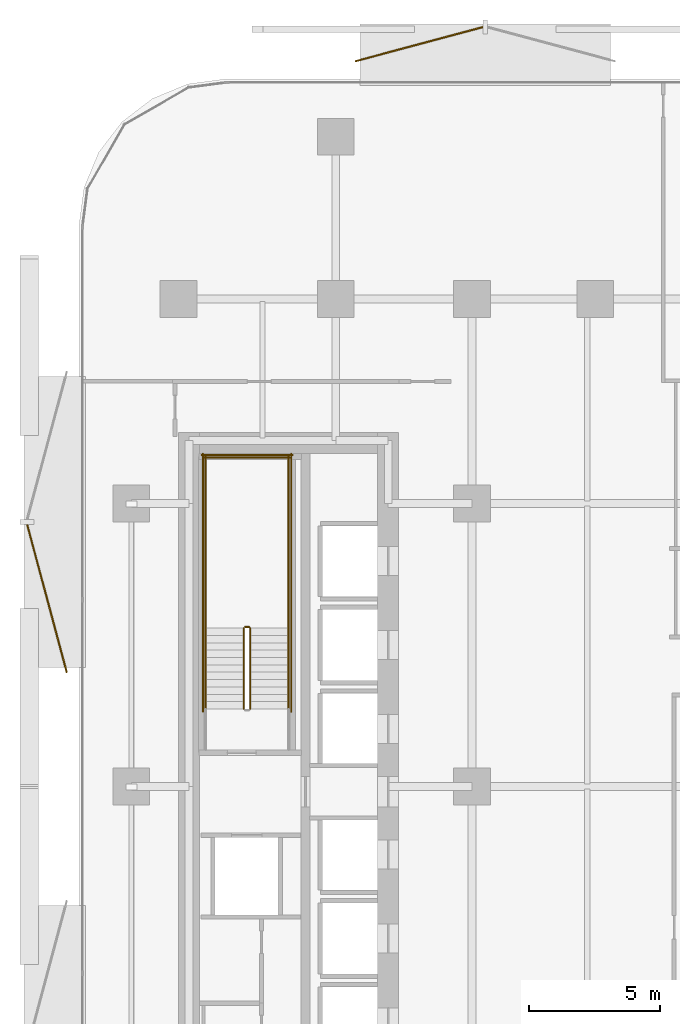
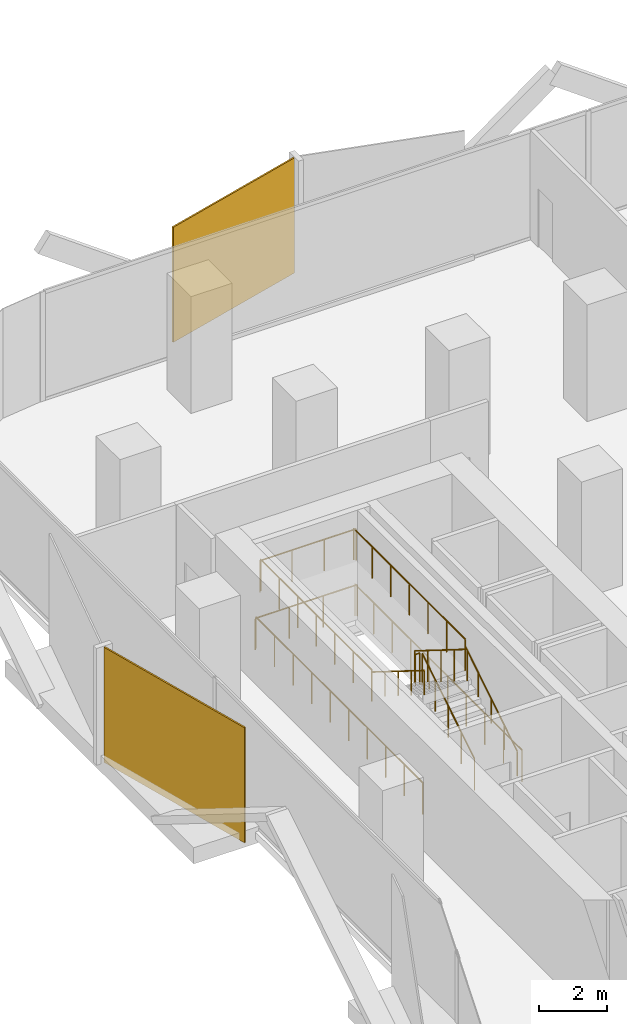
# One storey, part 14 of 15: 11 railings, 2 coverings.
"""IFC4 building model written with IfcOpenShell, lengths in metres."""

from ifc_helpers import new_model, si_unit, direction, frame, origin, origin_2d, place, context, subcontext, project, spatial, rectangle, circle, extrude, material, layer, layer_set, type_object, element, save


model = new_model("IFC4")

# Units and contexts
model_context = context("Model", 3, precision=1e-05, world=origin(), true_north=direction((0.0, 1.0)))
body_context = subcontext(model_context, "Body", "Model", "MODEL_VIEW")
ifc_project = project(units=[si_unit("LENGTHUNIT", "METRE"), si_unit("AREAUNIT", "SQUARE_METRE"), si_unit("VOLUMEUNIT", "CUBIC_METRE"), si_unit("PLANEANGLEUNIT", "RADIAN"), si_unit("MASSUNIT", "GRAM", prefix="KILO")], contexts=[model_context])

# Site, building, storey
site_placement = place(None, origin())
site = spatial("IfcSite", under=ifc_project, at=site_placement, CompositionType="ELEMENT")
building_placement = place(site_placement, origin())
building = spatial("IfcBuilding", under=site, at=building_placement, Name="Khairoan Windgate Tower", CompositionType="ELEMENT")
storey_placement = place(building_placement, frame((0.0, 0.0, 59.60009765625)))
storey = spatial("IfcBuildingStorey", under=building, at=storey_placement, Name="L14", CompositionType="ELEMENT", Elevation=59.60009765625)

# Coverings
ifc_material_1 = material(Name="Anodised Bronze Aluminium 6063-T6", Category="aluminium")
ifc_layer = layer(ifc_material_1, 0.054931640625, Name="Anodised Bronze Aluminium 6063-T6")
ifc_layer_set = layer_set([ifc_layer], Name="Anodised Bronze Aluminium 6063-T6")
covering_type = type_object("IfcCoveringType", Name="Perforated Bronze-Ceramic Folded Solar Screen Cladding BSC-1", PredefinedType="CLADDING", material=ifc_layer_set)
covering_1_placement = place(storey_placement, frame((-25.42236328125, 7.177734375, -0.10009765625), z_axis=(0.0, 0.0, 1.0), x_axis=(-0.258819045103, 0.965925826289, 0.0)))
element("IfcCovering", 1, at=covering_1_placement, inside=storey, type_object=covering_type, Name="L14 Folded Bronze Solar Screen Facet 68L", PredefinedType="CLADDING", context=body_context, shape_type="SweptSolid", body=[
    extrude(rectangle(XDim=5.85498046875, YDim=0.054931640625, at=origin_2d()), origin(), (0.0, 0.0, 1.0), 4.139892578125),
])
covering_2_placement = place(storey_placement, frame((-11.220947265625, 28.327392578125, -0.10009765625), z_axis=(0.0, 0.0, 1.0), x_axis=(0.965925826289, 0.258819045103, 0.0)))
element("IfcCovering", 2, at=covering_2_placement, inside=storey, type_object=covering_type, Name="L14 Folded Bronze Solar Screen Facet 69L", PredefinedType="CLADDING", context=body_context, shape_type="SweptSolid", body=[
    extrude(rectangle(XDim=5.04296875, YDim=0.054931640625, at=origin_2d()), origin(), (0.0, 0.0, 1.0), 4.139892578125),
])

# Railings
ifc_material_2 = material(Name="Anodised Bronze Aluminium 6063-T6", Category="aluminium")
railing_type_1 = type_object("IfcRailingType", Name="Stair Wall Handrail SHR-900", PredefinedType="HANDRAIL", material=ifc_material_2)
railing_1_placement = place(storey_placement, frame((-16.199951171875, 2.9599609375, 0.1748046875)))
element("IfcRailing", 3, at=railing_1_placement, inside=storey, type_object=railing_type_1, Name="L14 ST2 stair handrail 1", PredefinedType="HANDRAIL", context=body_context, shape_type="SweptSolid", body=[
    extrude(circle(Radius=0.02392578125, at=origin_2d()), frame((0.0, 0.0, 0.8759765625), z_axis=(0.0, 0.847998304005, 0.529998940003), x_axis=(-1.0, 0.0, 0.0)), (0.0, 0.0, 1.0), 3.632080078125),
    extrude(circle(Radius=0.02099609375, at=origin_2d()), origin(), (0.0, 0.0, 1.0), 0.851806640625),
    extrude(circle(Radius=0.02099609375, at=origin_2d()), frame((0.0, 0.77001953125, 0.481201171875)), (0.0, 0.0, 1.0), 0.851806640625),
    extrude(circle(Radius=0.02099609375, at=origin_2d()), frame((0.0, 1.5400390625, 0.96240234375)), (0.0, 0.0, 1.0), 0.851806640625),
    extrude(circle(Radius=0.02099609375, at=origin_2d()), frame((0.0, 2.31005859375, 1.44384765625)), (0.0, 0.0, 1.0), 0.851806640625),
    extrude(circle(Radius=0.02099609375, at=origin_2d()), frame((0.0, 3.080078125, 1.925048828125)), (0.0, 0.0, 1.0), 0.851806640625),
])
railing_2_placement = place(storey_placement, frame((-19.3701171875, 6.0400390625, 2.27490234375)))
element("IfcRailing", 4, at=railing_2_placement, inside=storey, type_object=railing_type_1, Name="L14 ST2 stair handrail 2", PredefinedType="HANDRAIL", context=body_context, shape_type="SweptSolid", body=[
    extrude(circle(Radius=0.02392578125, at=origin_2d()), frame((0.0, 0.0, 0.8759765625), z_axis=(0.0, -0.847998304005, 0.529998940003), x_axis=(1.0, 0.0, 0.0)), (0.0, 0.0, 1.0), 3.632080078125),
    extrude(circle(Radius=0.02099609375, at=origin_2d()), origin(), (0.0, 0.0, 1.0), 0.851806640625),
    extrude(circle(Radius=0.02099609375, at=origin_2d()), frame((0.0, -0.77001953125, 0.481201171875)), (0.0, 0.0, 1.0), 0.851806640625),
    extrude(circle(Radius=0.02099609375, at=origin_2d()), frame((0.0, -1.5400390625, 0.96240234375)), (0.0, 0.0, 1.0), 0.851806640625),
    extrude(circle(Radius=0.02099609375, at=origin_2d()), frame((0.0, -2.31005859375, 1.44384765625)), (0.0, 0.0, 1.0), 0.851806640625),
    extrude(circle(Radius=0.02099609375, at=origin_2d()), frame((0.0, -3.080078125, 1.925048828125)), (0.0, 0.0, 1.0), 0.851806640625),
])
ifc_material_3 = material(Name="Steel S355", Category="steel")
railing_type_2 = type_object("IfcRailingType", Name="Stairwell Safety Guardrail SGR-1150", PredefinedType="GUARDRAIL", material=ifc_material_3)
railing_3_placement = place(storey_placement, frame((-17.659912109375, 2.9599609375, 0.1748046875)))
element("IfcRailing", 5, at=railing_3_placement, inside=storey, type_object=railing_type_2, Name="L14 ST2 stair guard 1", PredefinedType="GUARDRAIL", context=body_context, shape_type="SweptSolid", body=[
    extrude(circle(Radius=0.02392578125, at=origin_2d()), frame((0.0, 0.0, 1.1259765625), z_axis=(0.0, 0.847998304005, 0.529998940003), x_axis=(-1.0, 0.0, 0.0)), (0.0, 0.0, 1.0), 3.632080078125),
    extrude(circle(Radius=0.02099609375, at=origin_2d()), origin(), (0.0, 0.0, 1.0), 1.101806640625),
    extrude(circle(Radius=0.02099609375, at=origin_2d()), frame((0.0, 0.77001953125, 0.481201171875)), (0.0, 0.0, 1.0), 1.101806640625),
    extrude(circle(Radius=0.02099609375, at=origin_2d()), frame((0.0, 1.5400390625, 0.96240234375)), (0.0, 0.0, 1.0), 1.101806640625),
    extrude(circle(Radius=0.02099609375, at=origin_2d()), frame((0.0, 2.31005859375, 1.44384765625)), (0.0, 0.0, 1.0), 1.101806640625),
    extrude(circle(Radius=0.02099609375, at=origin_2d()), frame((0.0, 3.080078125, 1.925048828125)), (0.0, 0.0, 1.0), 1.101806640625),
])
railing_4_placement = place(storey_placement, frame((-17.7099609375, 6.090087890625, 2.099853515625)))
element("IfcRailing", 6, at=railing_4_placement, inside=storey, type_object=railing_type_2, Name="L14 ST2 stair guard 2", PredefinedType="GUARDRAIL", context=body_context, shape_type="SweptSolid", body=[
    extrude(circle(Radius=0.02392578125, at=origin_2d()), frame((0.0, 0.0, 1.1259765625), z_axis=(-1.0, 0.0, 0.0), x_axis=(0.0, -1.0, 0.0)), (0.0, 0.0, 1.0), 0.150146484375),
    extrude(circle(Radius=0.02099609375, at=origin_2d()), origin(), (0.0, 0.0, 1.0), 1.101806640625),
    extrude(circle(Radius=0.02099609375, at=origin_2d()), frame((-0.150146484375, 0.0, 0.0)), (0.0, 0.0, 1.0), 1.101806640625),
])
for number, where, name in (
    (7, (-16.199951171875, 6.0400390625, 2.099853515625), "L14 ST2 stair guard 3"),
    (8, (-19.3701171875, 6.0400390625, 2.099853515625), "L14 ST2 stair guard 4"),
):
    element("IfcRailing", number, at=place(storey_placement, frame(where)), inside=storey, type_object=railing_type_2, Name=name, PredefinedType="GUARDRAIL", context=body_context, shape_type="SweptSolid", body=[
        extrude(circle(Radius=0.02392578125, at=origin_2d()), frame((0.0, 0.0, 1.1259765625), z_axis=(0.0, 1.0, 0.0), x_axis=(-1.0, 0.0, 0.0)), (0.0, 0.0, 1.0), 6.56005859375),
        extrude(circle(Radius=0.02099609375, at=origin_2d()), origin(), (0.0, 0.0, 1.0), 1.101806640625),
        extrude(circle(Radius=0.02099609375, at=origin_2d()), frame((0.0, 1.09326171875, 0.0)), (0.0, 0.0, 1.0), 1.101806640625),
        extrude(circle(Radius=0.02099609375, at=origin_2d()), frame((0.0, 2.186767578125, 0.0)), (0.0, 0.0, 1.0), 1.101806640625),
        extrude(circle(Radius=0.02099609375, at=origin_2d()), frame((0.0, 3.280029296875, 0.0)), (0.0, 0.0, 1.0), 1.101806640625),
        extrude(circle(Radius=0.02099609375, at=origin_2d()), frame((0.0, 4.373291015625, 0.0)), (0.0, 0.0, 1.0), 1.101806640625),
        extrude(circle(Radius=0.02099609375, at=origin_2d()), frame((0.0, 5.466796875, 0.0)), (0.0, 0.0, 1.0), 1.101806640625),
        extrude(circle(Radius=0.02099609375, at=origin_2d()), frame((0.0, 6.56005859375, 0.0)), (0.0, 0.0, 1.0), 1.101806640625),
    ])
railing_5_placement = place(storey_placement, frame((-16.14990234375, 12.550048828125, 2.099853515625)))
element("IfcRailing", 9, at=railing_5_placement, inside=storey, type_object=railing_type_2, Name="L14 ST2 stair guard 5", PredefinedType="GUARDRAIL", context=body_context, shape_type="SweptSolid", body=[
    extrude(circle(Radius=0.02392578125, at=origin_2d()), frame((0.0, 0.0, 1.1259765625), z_axis=(-1.0, 0.0, 0.0), x_axis=(0.0, -1.0, 0.0)), (0.0, 0.0, 1.0), 3.27001953125),
    extrude(circle(Radius=0.02099609375, at=origin_2d()), origin(), (0.0, 0.0, 1.0), 1.101806640625),
    extrude(circle(Radius=0.02099609375, at=origin_2d()), frame((-1.090087890625, 0.0, 0.0)), (0.0, 0.0, 1.0), 1.101806640625),
    extrude(circle(Radius=0.02099609375, at=origin_2d()), frame((-2.179931640625, 0.0, 0.0)), (0.0, 0.0, 1.0), 1.101806640625),
    extrude(circle(Radius=0.02099609375, at=origin_2d()), frame((-3.27001953125, 0.0, 0.0)), (0.0, 0.0, 1.0), 1.101806640625),
])
railing_6_placement = place(storey_placement, frame((-17.909912109375, 6.0400390625, 2.27490234375)))
element("IfcRailing", 10, at=railing_6_placement, inside=storey, type_object=railing_type_2, Name="L14 ST2 stair guard 6", PredefinedType="GUARDRAIL", context=body_context, shape_type="SweptSolid", body=[
    extrude(circle(Radius=0.02392578125, at=origin_2d()), frame((0.0, 0.0, 1.1259765625), z_axis=(0.0, -0.847998304005, 0.529998940003), x_axis=(1.0, 0.0, 0.0)), (0.0, 0.0, 1.0), 3.632080078125),
    extrude(circle(Radius=0.02099609375, at=origin_2d()), origin(), (0.0, 0.0, 1.0), 1.101806640625),
    extrude(circle(Radius=0.02099609375, at=origin_2d()), frame((0.0, -0.77001953125, 0.481201171875)), (0.0, 0.0, 1.0), 1.101806640625),
    extrude(circle(Radius=0.02099609375, at=origin_2d()), frame((0.0, -1.5400390625, 0.96240234375)), (0.0, 0.0, 1.0), 1.101806640625),
    extrude(circle(Radius=0.02099609375, at=origin_2d()), frame((0.0, -2.31005859375, 1.44384765625)), (0.0, 0.0, 1.0), 1.101806640625),
    extrude(circle(Radius=0.02099609375, at=origin_2d()), frame((0.0, -3.080078125, 1.925048828125)), (0.0, 0.0, 1.0), 1.101806640625),
])
for number, where, name in (
    (11, (-16.10009765625, 2.860107421875, 0.0), "L14 ST2 stair guard 10"),
    (12, (-19.469970703125, 2.860107421875, 0.0), "L14 ST2 stair guard 11"),
):
    element("IfcRailing", number, at=place(storey_placement, frame(where)), inside=storey, type_object=railing_type_2, Name=name, PredefinedType="GUARDRAIL", context=body_context, shape_type="SweptSolid", body=[
        extrude(circle(Radius=0.02392578125, at=origin_2d()), frame((0.0, 0.0, 1.1259765625), z_axis=(0.0, 1.0, 0.0), x_axis=(-1.0, 0.0, 0.0)), (0.0, 0.0, 1.0), 9.83984375),
        extrude(circle(Radius=0.02099609375, at=origin_2d()), origin(), (0.0, 0.0, 1.0), 1.101806640625),
        extrude(circle(Radius=0.02099609375, at=origin_2d()), frame((0.0, 1.09326171875, 0.0)), (0.0, 0.0, 1.0), 1.101806640625),
        extrude(circle(Radius=0.02099609375, at=origin_2d()), frame((0.0, 2.1865234375, 0.0)), (0.0, 0.0, 1.0), 1.101806640625),
        extrude(circle(Radius=0.02099609375, at=origin_2d()), frame((0.0, 3.280029296875, 0.0)), (0.0, 0.0, 1.0), 1.101806640625),
        extrude(circle(Radius=0.02099609375, at=origin_2d()), frame((0.0, 4.373291015625, 0.0)), (0.0, 0.0, 1.0), 1.101806640625),
        extrude(circle(Radius=0.02099609375, at=origin_2d()), frame((0.0, 5.466552734375, 0.0)), (0.0, 0.0, 1.0), 1.101806640625),
        extrude(circle(Radius=0.02099609375, at=origin_2d()), frame((0.0, 6.559814453125, 0.0)), (0.0, 0.0, 1.0), 1.101806640625),
        extrude(circle(Radius=0.02099609375, at=origin_2d()), frame((0.0, 7.6533203125, 0.0)), (0.0, 0.0, 1.0), 1.101806640625),
        extrude(circle(Radius=0.02099609375, at=origin_2d()), frame((0.0, 8.74658203125, 0.0)), (0.0, 0.0, 1.0), 1.101806640625),
        extrude(circle(Radius=0.02099609375, at=origin_2d()), frame((0.0, 9.83984375, 0.0)), (0.0, 0.0, 1.0), 1.101806640625),
    ])
railing_7_placement = place(storey_placement, frame((-16.050048828125, 12.64990234375, 0.0)))
element("IfcRailing", 13, at=railing_7_placement, inside=storey, type_object=railing_type_2, Name="L14 ST2 stair guard 12", PredefinedType="GUARDRAIL", context=body_context, shape_type="SweptSolid", body=[
    extrude(circle(Radius=0.02392578125, at=origin_2d()), frame((0.0, 0.0, 1.1259765625), z_axis=(-1.0, 0.0, 0.0), x_axis=(0.0, -1.0, 0.0)), (0.0, 0.0, 1.0), 3.469970703125),
    extrude(circle(Radius=0.02099609375, at=origin_2d()), origin(), (0.0, 0.0, 1.0), 1.101806640625),
    extrude(circle(Radius=0.02099609375, at=origin_2d()), frame((-1.15673828125, 0.0, 0.0)), (0.0, 0.0, 1.0), 1.101806640625),
    extrude(circle(Radius=0.02099609375, at=origin_2d()), frame((-2.313232421875, 0.0, 0.0)), (0.0, 0.0, 1.0), 1.101806640625),
    extrude(circle(Radius=0.02099609375, at=origin_2d()), frame((-3.469970703125, 0.0, 0.0)), (0.0, 0.0, 1.0), 1.101806640625),
])

save(model, "model.ifc")
